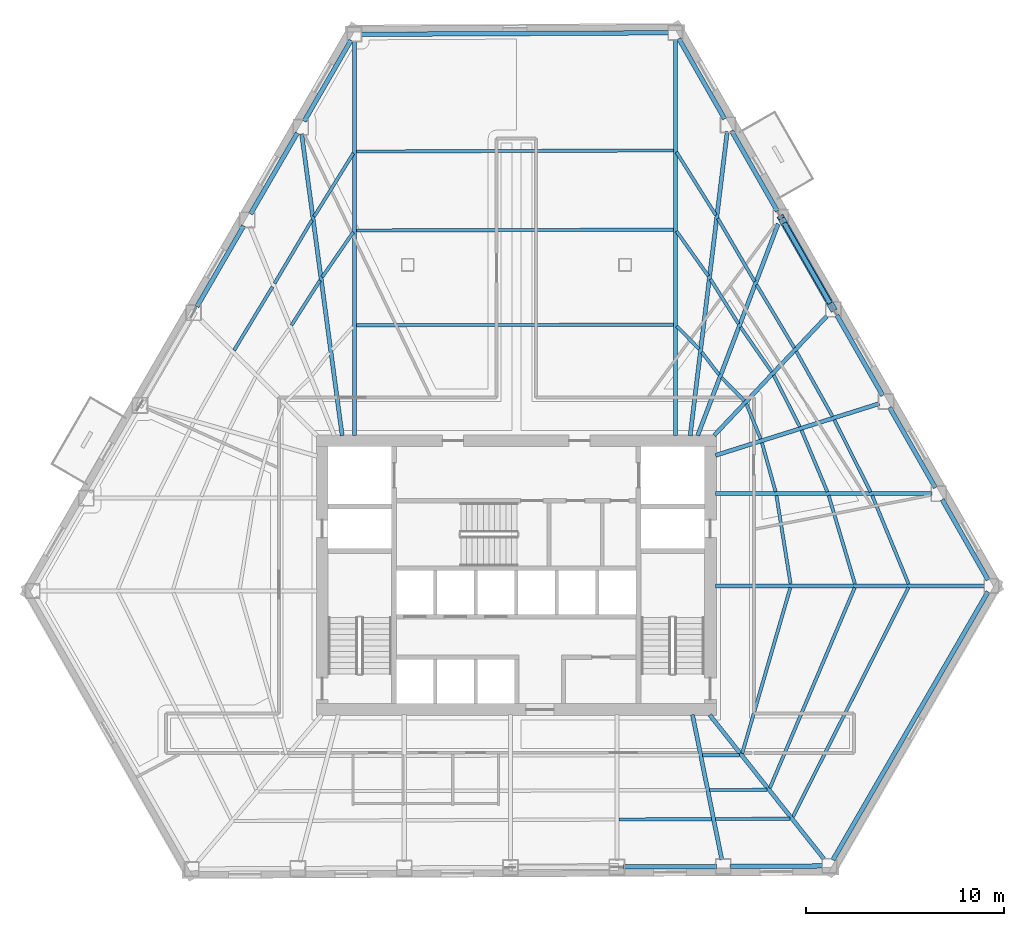
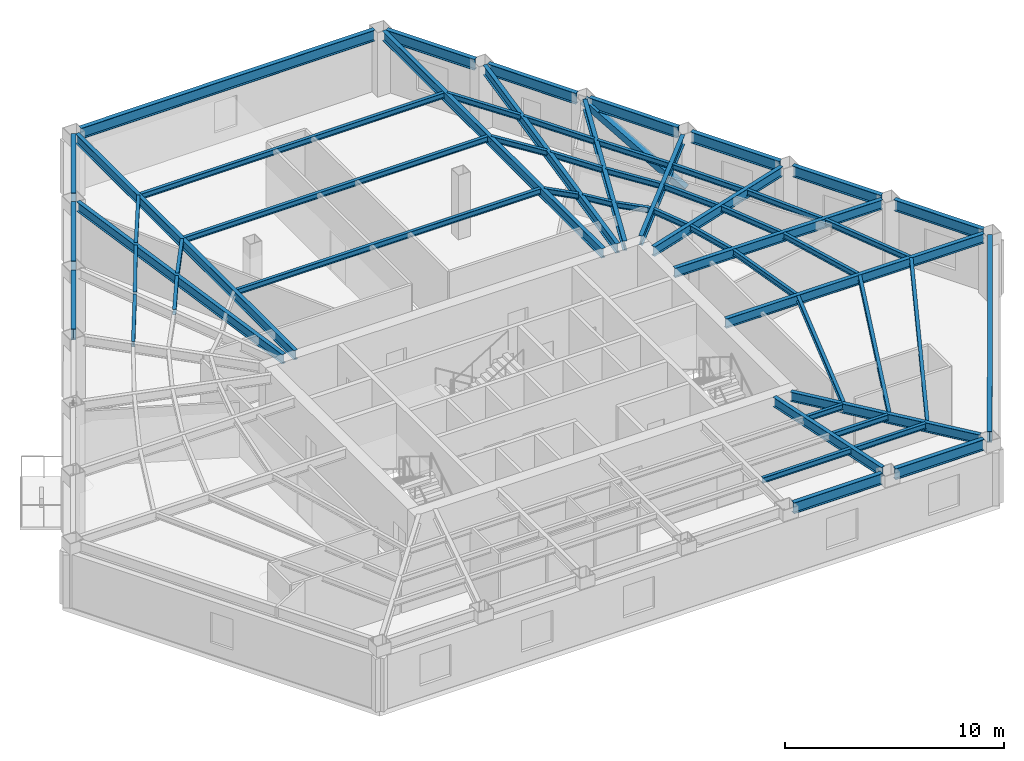
# One storey, part 2 of 11: 57 beams, 1 member.
"""IFC4 building model written with IfcOpenShell, lengths in metres."""

from ifc_helpers import new_model, si_unit, direction, frame, origin, origin_2d, place, context, subcontext, project, spatial, hollow_rectangle, i_section, extrude, material, material_profile, profile_set, type_object, element, save


model = new_model("IFC4")

# Units and contexts
model_context = context("Model", 3, precision=1e-05, world=origin(), true_north=direction((0.0, 1.0)))
body_context = subcontext(model_context, "Body", "Model", "MODEL_VIEW")
ifc_project = project(units=[si_unit("LENGTHUNIT", "METRE"), si_unit("AREAUNIT", "SQUARE_METRE"), si_unit("VOLUMEUNIT", "CUBIC_METRE"), si_unit("PLANEANGLEUNIT", "RADIAN"), si_unit("MASSUNIT", "GRAM", prefix="KILO")], contexts=[model_context])

# Site, building, storey
site_placement = place(None, origin())
site = spatial("IfcSite", under=ifc_project, at=site_placement, CompositionType="ELEMENT")
building_placement = place(site_placement, origin())
building = spatial("IfcBuilding", under=site, at=building_placement, Name="Kavelnor Concourse Tower", CompositionType="ELEMENT")
storey_placement = place(building_placement, frame((0.0, 0.0, 9.85009765625)))
storey = spatial("IfcBuildingStorey", under=building, at=storey_placement, Name="L02", CompositionType="ELEMENT", Elevation=9.85009765625)

# Beams
ifc_material = material(Name="Steel Grade 350", Category="steel")
ifc_material_profile_1 = material_profile(ifc_material, i_section(OverallWidth=0.166015625, OverallDepth=0.306884765625, WebThickness=0.006591796875, FlangeThickness=0.01171875, at=origin_2d()), Name="310UB46")
ifc_profile_set_1 = profile_set([ifc_material_profile_1], Name="Steel Grade 350")
beam_type_1 = type_object("IfcBeamType", Name="BM-JOIST-310", PredefinedType="JOIST", material=ifc_profile_set_1)
beam_1_placement = place(storey_placement, frame((43.184814453125, 3.7333984375, 3.4365234375), z_axis=(0.999991577375, 0.004104287958, 0.0), x_axis=(-0.004104287958, 0.999991577375, 0.0)))
element("IfcBeam", 1, at=beam_1_placement, inside=storey, type_object=beam_type_1, Name="L02 Secondary Composite Joist 06-3", PredefinedType="JOIST", context=body_context, shape_type="SweptSolid", body=[
    extrude(i_section(OverallWidth=0.166015625, OverallDepth=0.306884765625, WebThickness=0.006591796875, FlangeThickness=0.01171875, at=origin_2d()), origin(), (0.0, 0.0, 1.0), 4.69921875),
])
beam_2_placement = place(storey_placement, frame((47.4287109375, 6.983642578125, 3.4365234375), z_axis=(0.999997834945, 0.00208089028, 0.0), x_axis=(-0.00208089028, 0.999997834945, 0.0)))
element("IfcBeam", 2, at=beam_2_placement, inside=storey, type_object=beam_type_1, Name="L02 Secondary Composite Joist 07-1", PredefinedType="JOIST", context=body_context, shape_type="SweptSolid", body=[
    extrude(i_section(OverallWidth=0.166015625, OverallDepth=0.306884765625, WebThickness=0.006591796875, FlangeThickness=0.01171875, at=origin_2d()), origin(), (0.0, 0.0, 1.0), 1.877197265625),
])
beam_3_placement = place(storey_placement, frame((47.784423828125, 5.221923828125, 3.4365234375), z_axis=(0.999988964644, 0.004697934733, 0.0), x_axis=(-0.004697934733, 0.999988964644, 0.0)))
element("IfcBeam", 3, at=beam_3_placement, inside=storey, type_object=beam_type_1, Name="L02 Secondary Composite Joist 07-2", PredefinedType="JOIST", context=body_context, shape_type="SweptSolid", body=[
    extrude(i_section(OverallWidth=0.166015625, OverallDepth=0.306884765625, WebThickness=0.006591796875, FlangeThickness=0.01171875, at=origin_2d()), origin(), (0.0, 0.0, 1.0), 2.91015625),
])
beam_4_placement = place(storey_placement, frame((48.0810546875, 3.753662109375, 3.4365234375), z_axis=(0.999983022719, 0.005827029592, 0.0), x_axis=(-0.005827029592, 0.999983022719, 0.0)))
element("IfcBeam", 4, at=beam_4_placement, inside=storey, type_object=beam_type_1, Name="L02 Secondary Composite Joist 07-3", PredefinedType="JOIST", context=body_context, shape_type="SweptSolid", body=[
    extrude(i_section(OverallWidth=0.166015625, OverallDepth=0.306884765625, WebThickness=0.006591796875, FlangeThickness=0.01171875, at=origin_2d()), origin(), (0.0, 0.0, 1.0), 3.770751953125),
])
beam_5_placement = place(storey_placement, frame((49.431884765625, 7.082275390625, 3.4365234375), z_axis=(0.278988238114, 0.960294518882, 0.0), x_axis=(-0.960294518882, 0.278988238114, 0.0)))
element("IfcBeam", 5, at=beam_5_placement, inside=storey, type_object=beam_type_1, Name="L02 Secondary Composite Joist 08-1", PredefinedType="JOIST", context=body_context, shape_type="SweptSolid", body=[
    extrude(i_section(OverallWidth=0.166015625, OverallDepth=0.306884765625, WebThickness=0.006591796875, FlangeThickness=0.01171875, at=origin_2d()), origin(), (0.0, 0.0, 1.0), 8.72998046875),
])
beam_6_placement = place(storey_placement, frame((50.83154296875, 5.32666015625, 3.4365234375), z_axis=(0.389927032558, 0.920845757595, 0.0), x_axis=(-0.920845757595, 0.389927032558, 0.0)))
element("IfcBeam", 6, at=beam_6_placement, inside=storey, type_object=beam_type_1, Name="L02 Secondary Composite Joist 08-2", PredefinedType="JOIST", context=body_context, shape_type="SweptSolid", body=[
    extrude(i_section(OverallWidth=0.166015625, OverallDepth=0.306884765625, WebThickness=0.006591796875, FlangeThickness=0.01171875, at=origin_2d()), origin(), (0.0, 0.0, 1.0), 11.0146484375),
])
beam_7_placement = place(storey_placement, frame((51.99462890625, 3.8642578125, 3.4365234375), z_axis=(0.450111067733, 0.892972578921, 0.0), x_axis=(-0.892972578921, 0.450111067733, 0.0)))
element("IfcBeam", 7, at=beam_7_placement, inside=storey, type_object=beam_type_1, Name="L02 Secondary Composite Joist 08-3", PredefinedType="JOIST", context=body_context, shape_type="SweptSolid", body=[
    extrude(i_section(OverallWidth=0.166015625, OverallDepth=0.306884765625, WebThickness=0.006591796875, FlangeThickness=0.01171875, at=origin_2d()), origin(), (0.0, 0.0, 1.0), 12.999267578125),
])
beam_8_placement = place(storey_placement, frame((51.87939453125, 15.657470703125, 3.4365234375), z_axis=(-0.157994707276, 0.98743995892, 0.0), x_axis=(-0.98743995892, -0.157994707276, 0.0)))
element("IfcBeam", 8, at=beam_8_placement, inside=storey, type_object=beam_type_1, Name="L02 Secondary Composite Joist 09-1", PredefinedType="JOIST", context=body_context, shape_type="SweptSolid", body=[
    extrude(i_section(OverallWidth=0.166015625, OverallDepth=0.306884765625, WebThickness=0.006591796875, FlangeThickness=0.01171875, at=origin_2d()), origin(), (0.0, 0.0, 1.0), 4.527587890625),
])
beam_9_placement = place(storey_placement, frame((55.136962890625, 15.654541015625, 3.4365234375), z_axis=(-0.28486251758, 0.958568383621, 0.0), x_axis=(-0.958568383621, -0.28486251758, 0.0)))
element("IfcBeam", 9, at=beam_9_placement, inside=storey, type_object=beam_type_1, Name="L02 Secondary Composite Joist 09-2", PredefinedType="JOIST", context=body_context, shape_type="SweptSolid", body=[
    extrude(i_section(OverallWidth=0.166015625, OverallDepth=0.306884765625, WebThickness=0.006591796875, FlangeThickness=0.01171875, at=origin_2d()), origin(), (0.0, 0.0, 1.0), 4.670166015625),
])
beam_10_placement = place(storey_placement, frame((57.852294921875, 15.6513671875, 3.4365234375), z_axis=(-0.380499014956, 0.924781325297, 0.0), x_axis=(-0.924781325297, -0.380499014956, 0.0)))
element("IfcBeam", 10, at=beam_10_placement, inside=storey, type_object=beam_type_1, Name="L02 Secondary Composite Joist 09-3", PredefinedType="JOIST", context=body_context, shape_type="SweptSolid", body=[
    extrude(i_section(OverallWidth=0.166015625, OverallDepth=0.306884765625, WebThickness=0.006591796875, FlangeThickness=0.01171875, at=origin_2d()), origin(), (0.0, 0.0, 1.0), 4.84765625),
])
beam_11_placement = place(storey_placement, frame((51.121826171875, 20.3203125, 3.4365234375), z_axis=(-0.268919629321, 0.963162620208, 0.0), x_axis=(-0.963162620208, -0.268919629321, 0.0)))
element("IfcBeam", 11, at=beam_11_placement, inside=storey, type_object=beam_type_1, Name="L02 Secondary Composite Joist 10-1", PredefinedType="JOIST", context=body_context, shape_type="SweptSolid", body=[
    extrude(i_section(OverallWidth=0.166015625, OverallDepth=0.306884765625, WebThickness=0.006591796875, FlangeThickness=0.01171875, at=origin_2d()), origin(), (0.0, 0.0, 1.0), 2.57568359375),
])
beam_12_placement = place(storey_placement, frame((53.740478515625, 20.316162109375, 3.4365234375), z_axis=(-0.387427608841, 0.921900129031, 0.0), x_axis=(-0.921900129031, -0.387427608841, 0.0)))
element("IfcBeam", 12, at=beam_12_placement, inside=storey, type_object=beam_type_1, Name="L02 Secondary Composite Joist 10-2", PredefinedType="JOIST", context=body_context, shape_type="SweptSolid", body=[
    extrude(i_section(OverallWidth=0.166015625, OverallDepth=0.306884765625, WebThickness=0.006591796875, FlangeThickness=0.01171875, at=origin_2d()), origin(), (0.0, 0.0, 1.0), 3.382080078125),
])
beam_13_placement = place(storey_placement, frame((55.926025390625, 20.3134765625, 3.4365234375), z_axis=(-0.448839780249, 0.893612249057, 0.0), x_axis=(-0.893612249057, -0.448839780249, 0.0)))
element("IfcBeam", 13, at=beam_13_placement, inside=storey, type_object=beam_type_1, Name="L02 Secondary Composite Joist 10-3", PredefinedType="JOIST", context=body_context, shape_type="SweptSolid", body=[
    extrude(i_section(OverallWidth=0.166015625, OverallDepth=0.306884765625, WebThickness=0.006591796875, FlangeThickness=0.01171875, at=origin_2d()), origin(), (0.0, 0.0, 1.0), 4.081787109375),
])
beam_14_placement = place(storey_placement, frame((50.36572265625, 22.9873046875, 3.4365234375), z_axis=(-0.375197954579, 0.926944709721, 0.0), x_axis=(-0.926944709721, -0.375197954579, 0.0)))
element("IfcBeam", 14, at=beam_14_placement, inside=storey, type_object=beam_type_1, Name="L02 Secondary Composite Joist 11-1", PredefinedType="JOIST", context=body_context, shape_type="SweptSolid", body=[
    extrude(i_section(OverallWidth=0.166015625, OverallDepth=0.306884765625, WebThickness=0.006591796875, FlangeThickness=0.01171875, at=origin_2d()), origin(), (0.0, 0.0, 1.0), 1.922119140625),
])
beam_15_placement = place(storey_placement, frame((52.347412109375, 23.612548828125, 3.4365234375), z_axis=(-0.453244428969, 0.891386272953, 0.0), x_axis=(-0.891386272953, -0.453244428969, 0.0)))
element("IfcBeam", 15, at=beam_15_placement, inside=storey, type_object=beam_type_1, Name="L02 Secondary Composite Joist 11-2", PredefinedType="JOIST", context=body_context, shape_type="SweptSolid", body=[
    extrude(i_section(OverallWidth=0.166015625, OverallDepth=0.306884765625, WebThickness=0.006591796875, FlangeThickness=0.01171875, at=origin_2d()), origin(), (0.0, 0.0, 1.0), 2.926025390625),
])
beam_16_placement = place(storey_placement, frame((54.001708984375, 24.135009765625, 3.4365234375), z_axis=(-0.486895498157, 0.873460230276, 0.0), x_axis=(-0.873460230276, -0.486895498157, 0.0)))
element("IfcBeam", 16, at=beam_16_placement, inside=storey, type_object=beam_type_1, Name="L02 Secondary Composite Joist 11-3", PredefinedType="JOIST", context=body_context, shape_type="SweptSolid", body=[
    extrude(i_section(OverallWidth=0.166015625, OverallDepth=0.306884765625, WebThickness=0.006591796875, FlangeThickness=0.01171875, at=origin_2d()), origin(), (0.0, 0.0, 1.0), 3.771728515625),
])
beam_17_placement = place(storey_placement, frame((49.538330078125, 24.930419921875, 3.4365234375), z_axis=(-0.703967784518, 0.710231904635, 0.0), x_axis=(-0.710231904635, -0.703967784518, 0.0)))
element("IfcBeam", 17, at=beam_17_placement, inside=storey, type_object=beam_type_1, Name="L02 Secondary Composite Joist 12-1", PredefinedType="JOIST", context=body_context, shape_type="SweptSolid", body=[
    extrude(i_section(OverallWidth=0.166015625, OverallDepth=0.306884765625, WebThickness=0.006591796875, FlangeThickness=0.01171875, at=origin_2d()), origin(), (0.0, 0.0, 1.0), 1.636962890625),
])
beam_18_placement = place(storey_placement, frame((50.92041015625, 26.3896484375, 3.4365234375), z_axis=(-0.569739727434, 0.821825190039, 0.0), x_axis=(-0.821825190039, -0.569739727434, 0.0)))
element("IfcBeam", 18, at=beam_18_placement, inside=storey, type_object=beam_type_1, Name="L02 Secondary Composite Joist 12-2", PredefinedType="JOIST", context=body_context, shape_type="SweptSolid", body=[
    extrude(i_section(OverallWidth=0.166015625, OverallDepth=0.306884765625, WebThickness=0.006591796875, FlangeThickness=0.01171875, at=origin_2d()), origin(), (0.0, 0.0, 1.0), 2.75537109375),
])
beam_19_placement = place(storey_placement, frame((52.06689453125, 27.60009765625, 3.4365234375), z_axis=(-0.512728352507, 0.858550893387, 0.0), x_axis=(-0.858550893387, -0.512728352507, 0.0)))
element("IfcBeam", 19, at=beam_19_placement, inside=storey, type_object=beam_type_1, Name="L02 Secondary Composite Joist 12-3", PredefinedType="JOIST", context=body_context, shape_type="SweptSolid", body=[
    extrude(i_section(OverallWidth=0.166015625, OverallDepth=0.306884765625, WebThickness=0.006591796875, FlangeThickness=0.01171875, at=origin_2d()), origin(), (0.0, 0.0, 1.0), 3.7197265625),
])
beam_20_placement = place(storey_placement, frame((48.257080078125, 26.241455078125, 3.4365234375), z_axis=(-0.605936209255, 0.795513237045, 0.0), x_axis=(-0.795513237045, -0.605936209255, 0.0)))
element("IfcBeam", 20, at=beam_20_placement, inside=storey, type_object=beam_type_1, Name="L02 Secondary Composite Joist 13-1", PredefinedType="JOIST", context=body_context, shape_type="SweptSolid", body=[
    extrude(i_section(OverallWidth=0.166015625, OverallDepth=0.306884765625, WebThickness=0.006591796875, FlangeThickness=0.01171875, at=origin_2d()), origin(), (0.0, 0.0, 1.0), 1.443603515625),
])
beam_21_placement = place(storey_placement, frame((49.2421875, 28.818359375, 3.4365234375), z_axis=(-0.531438262408, 0.847097027057, 0.0), x_axis=(-0.847097027057, -0.531438262408, 0.0)))
element("IfcBeam", 21, at=beam_21_placement, inside=storey, type_object=beam_type_1, Name="L02 Secondary Composite Joist 13-2", PredefinedType="JOIST", context=body_context, shape_type="SweptSolid", body=[
    extrude(i_section(OverallWidth=0.166015625, OverallDepth=0.306884765625, WebThickness=0.006591796875, FlangeThickness=0.01171875, at=origin_2d()), origin(), (0.0, 0.0, 1.0), 2.666748046875),
])
beam_22_placement = place(storey_placement, frame((50.0595703125, 30.963134765625, 3.4365234375), z_axis=(-0.504175101261, 0.863601451636, 0.0), x_axis=(-0.863601451636, -0.504175101261, 0.0)))
element("IfcBeam", 22, at=beam_22_placement, inside=storey, type_object=beam_type_1, Name="L02 Secondary Composite Joist 13-3", PredefinedType="JOIST", context=body_context, shape_type="SweptSolid", body=[
    extrude(i_section(OverallWidth=0.166015625, OverallDepth=0.306884765625, WebThickness=0.006591796875, FlangeThickness=0.01171875, at=origin_2d()), origin(), (0.0, 0.0, 1.0), 3.69384765625),
])
beam_23_placement = place(storey_placement, frame((47.25390625, 27.538818359375, 3.4365234375), z_axis=(-0.698509306589, 0.71560097024, 0.0), x_axis=(-0.71560097024, -0.698509306589, 0.0)))
element("IfcBeam", 23, at=beam_23_placement, inside=storey, type_object=beam_type_1, Name="L02 Secondary Composite Joist 14-1", PredefinedType="JOIST", context=body_context, shape_type="SweptSolid", body=[
    extrude(i_section(OverallWidth=0.166015625, OverallDepth=0.306884765625, WebThickness=0.006591796875, FlangeThickness=0.01171875, at=origin_2d()), origin(), (0.0, 0.0, 1.0), 1.62841796875),
])
beam_24_placement = place(storey_placement, frame((47.715576171875, 31.2412109375, 3.4365234375), z_axis=(-0.579500453204, 0.814971916532, 0.0), x_axis=(-0.814971916532, -0.579500453204, 0.0)))
element("IfcBeam", 24, at=beam_24_placement, inside=storey, type_object=beam_type_1, Name="L02 Secondary Composite Joist 14-2", PredefinedType="JOIST", context=body_context, shape_type="SweptSolid", body=[
    extrude(i_section(OverallWidth=0.166015625, OverallDepth=0.306884765625, WebThickness=0.006591796875, FlangeThickness=0.01171875, at=origin_2d()), origin(), (0.0, 0.0, 1.0), 2.77978515625),
])
beam_25_placement = place(storey_placement, frame((48.09521484375, 34.321533203125, 3.4365234375), z_axis=(-0.530051405113, 0.847965511055, 0.0), x_axis=(-0.847965511055, -0.530051405113, 0.0)))
element("IfcBeam", 25, at=beam_25_placement, inside=storey, type_object=beam_type_1, Name="L02 Secondary Composite Joist 14-3", PredefinedType="JOIST", context=body_context, shape_type="SweptSolid", body=[
    extrude(i_section(OverallWidth=0.166015625, OverallDepth=0.306884765625, WebThickness=0.006591796875, FlangeThickness=0.01171875, at=origin_2d()), origin(), (0.0, 0.0, 1.0), 3.764404296875),
])
for number, where, z_axis, x_axis, name in (
    (26, (45.94921875, 28.7744140625, 3.4365234375), (-0.999998955514, -0.001445327036, 0.0), (0.001445327036, -0.999998955514, 0.0), "L02 Secondary Composite Joist 15-1"),
    (27, (45.94921875, 33.586669921875, 3.4365234375), (-0.999996455706, -0.002662437885, 0.0), (0.002662437885, -0.999996455706, 0.0), "L02 Secondary Composite Joist 15-2"),
    (28, (45.94921875, 37.596923828125, 3.4365234375), (-0.999993222301, -0.003681759342, 0.0), (0.003681759342, -0.999993222301, 0.0), "L02 Secondary Composite Joist 15-3"),
):
    element("IfcBeam", number, at=place(storey_placement, frame(where, z_axis=z_axis, x_axis=x_axis)), inside=storey, type_object=beam_type_1, Name=name, PredefinedType="JOIST", context=body_context, shape_type="SweptSolid", body=[
        extrude(i_section(OverallWidth=0.166015625, OverallDepth=0.306884765625, WebThickness=0.006591796875, FlangeThickness=0.01171875, at=origin_2d()), origin(), (0.0, 0.0, 1.0), 16.047119140625),
    ])
beam_26_placement = place(storey_placement, frame((29.74755859375, 33.462646484375, 3.4365234375), z_axis=(-0.568136699852, -0.822934195596, 0.0), x_axis=(0.822934195596, -0.568136699852, 0.0)))
element("IfcBeam", 29, at=beam_26_placement, inside=storey, type_object=beam_type_1, Name="L02 Secondary Composite Joist 16-2", PredefinedType="JOIST", context=body_context, shape_type="SweptSolid", body=[
    extrude(i_section(OverallWidth=0.166015625, OverallDepth=0.306884765625, WebThickness=0.006591796875, FlangeThickness=0.01171875, at=origin_2d()), origin(), (0.0, 0.0, 1.0), 2.76904296875),
])
beam_27_placement = place(storey_placement, frame((29.751708984375, 37.45361328125, 3.4365234375), z_axis=(-0.526894875851, -0.849930461745, 0.0), x_axis=(0.849930461745, -0.526894875851, 0.0)))
element("IfcBeam", 30, at=beam_27_placement, inside=storey, type_object=beam_type_1, Name="L02 Secondary Composite Joist 16-3", PredefinedType="JOIST", context=body_context, shape_type="SweptSolid", body=[
    extrude(i_section(OverallWidth=0.166015625, OverallDepth=0.306884765625, WebThickness=0.006591796875, FlangeThickness=0.01171875, at=origin_2d()), origin(), (0.0, 0.0, 1.0), 3.779541015625),
])
beam_28_placement = place(storey_placement, frame((28.0654296875, 31.01953125, 3.4365234375), z_axis=(-0.536770025919, -0.843728593373, 0.0), x_axis=(0.843728593373, -0.536770025919, 0.0)))
element("IfcBeam", 31, at=beam_28_placement, inside=storey, type_object=beam_type_1, Name="L02 Secondary Composite Joist 17-2", PredefinedType="JOIST", context=body_context, shape_type="SweptSolid", body=[
    extrude(i_section(OverallWidth=0.166015625, OverallDepth=0.306884765625, WebThickness=0.006591796875, FlangeThickness=0.01171875, at=origin_2d()), origin(), (0.0, 0.0, 1.0), 2.6962890625),
])
beam_29_placement = place(storey_placement, frame((27.658203125, 34.07275390625, 3.4365234375), z_axis=(-0.508786639952, -0.860892650106, 0.0), x_axis=(0.860892650106, -0.508786639952, 0.0)))
element("IfcBeam", 32, at=beam_29_placement, inside=storey, type_object=beam_type_1, Name="L02 Secondary Composite Joist 17-3", PredefinedType="JOIST", context=body_context, shape_type="SweptSolid", body=[
    extrude(i_section(OverallWidth=0.166015625, OverallDepth=0.306884765625, WebThickness=0.006591796875, FlangeThickness=0.01171875, at=origin_2d()), origin(), (0.0, 0.0, 1.0), 3.730224609375),
])
beam_30_placement = place(storey_placement, frame((25.6591796875, 30.6923828125, 3.4365234375), z_axis=(-0.517682577079, -0.855572761014, 0.0), x_axis=(0.855572761014, -0.517682577079, 0.0)))
element("IfcBeam", 33, at=beam_30_placement, inside=storey, type_object=beam_type_1, Name="L02 Secondary Composite Joist 18-3", PredefinedType="JOIST", context=body_context, shape_type="SweptSolid", body=[
    extrude(i_section(OverallWidth=0.166015625, OverallDepth=0.306884765625, WebThickness=0.006591796875, FlangeThickness=0.01171875, at=origin_2d()), origin(), (0.0, 0.0, 1.0), 3.7587890625),
])
ifc_material_profile_2 = material_profile(ifc_material, i_section(OverallWidth=0.208984375, OverallDepth=0.528076171875, WebThickness=0.009521484375, FlangeThickness=0.01318359375, at=origin_2d()), Name="530UB82")
ifc_profile_set_2 = profile_set([ifc_material_profile_2], Name="Steel Grade 350")
beam_type_2 = type_object("IfcBeamType", Name="BM-PRIMARY-530", PredefinedType="BEAM", material=ifc_profile_set_2)
beam_31_placement = place(storey_placement, frame((29.803466796875, 23.159912109375, 3.325927734375), z_axis=(0.0, 1.0, 0.0), x_axis=(-1.0, 0.0, 0.0)))
element("IfcBeam", 34, at=beam_31_placement, inside=storey, type_object=beam_type_2, Name="L02 Primary Floor Girder F0-B0", PredefinedType="BEAM", context=body_context, shape_type="SweptSolid", body=[
    extrude(i_section(OverallWidth=0.208984375, OverallDepth=0.528076171875, WebThickness=0.009521484375, FlangeThickness=0.01318359375, at=origin_2d()), origin(), (0.0, 0.0, 1.0), 19.96875),
])
beam_32_placement = place(storey_placement, frame((29.18408203125, 23.160400390625, 3.325927734375), z_axis=(-0.132996956009, 0.991116446081, 0.0), x_axis=(-0.991116446081, -0.132996956009, 0.0)))
element("IfcBeam", 35, at=beam_32_placement, inside=storey, type_object=beam_type_2, Name="L02 Primary Floor Girder F0-B1", PredefinedType="BEAM", context=body_context, shape_type="SweptSolid", body=[
    extrude(i_section(OverallWidth=0.208984375, OverallDepth=0.528076171875, WebThickness=0.009521484375, FlangeThickness=0.01318359375, at=origin_2d()), origin(), (0.0, 0.0, 1.0), 15.41064453125),
])
beam_33_placement = place(storey_placement, frame((46.9150390625, 9.039306640625, 3.325927734375), z_axis=(0.197946097255, -0.980212906761, 0.0), x_axis=(0.980212906761, 0.197946097255, 0.0)))
element("IfcBeam", 36, at=beam_33_placement, inside=storey, type_object=beam_type_2, Name="L02 Primary Floor Girder F1-B5", PredefinedType="BEAM", context=body_context, shape_type="SweptSolid", body=[
    extrude(i_section(OverallWidth=0.208984375, OverallDepth=0.528076171875, WebThickness=0.009521484375, FlangeThickness=0.01318359375, at=origin_2d()), origin(), (0.0, 0.0, 1.0), 7.490234375),
])
beam_34_placement = place(storey_placement, frame((47.7841796875, 9.03125, 3.325927734375), z_axis=(0.621236562271, -0.783623081397, 0.0), x_axis=(0.783623081397, 0.621236562271, 0.0)))
element("IfcBeam", 37, at=beam_34_placement, inside=storey, type_object=beam_type_2, Name="L02 Primary Floor Girder F1-B6", PredefinedType="BEAM", context=body_context, shape_type="SweptSolid", body=[
    extrude(i_section(OverallWidth=0.208984375, OverallDepth=0.528076171875, WebThickness=0.009521484375, FlangeThickness=0.01318359375, at=origin_2d()), origin(), (0.0, 0.0, 1.0), 9.31396484375),
])
beam_35_placement = place(storey_placement, frame((48.080078125, 15.560302734375, 3.325927734375), z_axis=(1.0, 0.0, 0.0), x_axis=(0.0, 1.0, 0.0)))
element("IfcBeam", 38, at=beam_35_placement, inside=storey, type_object=beam_type_2, Name="L02 Primary Floor Girder F2-B0", PredefinedType="BEAM", context=body_context, shape_type="SweptSolid", body=[
    extrude(i_section(OverallWidth=0.208984375, OverallDepth=0.528076171875, WebThickness=0.009521484375, FlangeThickness=0.01318359375, at=origin_2d()), origin(), (0.0, 0.0, 1.0), 13.624755859375),
])
beam_36_placement = place(storey_placement, frame((48.080078125, 20.225341796875, 3.325927734375), z_axis=(1.0, 0.0, 0.0), x_axis=(0.0, 1.0, 0.0)))
element("IfcBeam", 39, at=beam_36_placement, inside=storey, type_object=beam_type_2, Name="L02 Primary Floor Girder F2-B1", PredefinedType="BEAM", context=body_context, shape_type="SweptSolid", body=[
    extrude(i_section(OverallWidth=0.208984375, OverallDepth=0.528076171875, WebThickness=0.009521484375, FlangeThickness=0.01318359375, at=origin_2d()), origin(), (0.0, 0.0, 1.0), 10.958740234375),
])
beam_37_placement = place(storey_placement, frame((48.081787109375, 22.162109375, 3.325927734375), z_axis=(0.953480744084, 0.301453927925, 0.0), x_axis=(-0.301453927925, 0.953480744084, 0.0)))
element("IfcBeam", 40, at=beam_37_placement, inside=storey, type_object=beam_type_2, Name="L02 Primary Floor Girder F2-B2", PredefinedType="BEAM", context=body_context, shape_type="SweptSolid", body=[
    extrude(i_section(OverallWidth=0.208984375, OverallDepth=0.528076171875, WebThickness=0.009521484375, FlangeThickness=0.01318359375, at=origin_2d()), origin(), (0.0, 0.0, 1.0), 8.693115234375),
])
beam_38_placement = place(storey_placement, frame((48.010498046875, 23.1708984375, 3.325927734375), z_axis=(0.686951539104, 0.72670322892, 0.0), x_axis=(-0.72670322892, 0.686951539104, 0.0)))
element("IfcBeam", 41, at=beam_38_placement, inside=storey, type_object=beam_type_2, Name="L02 Primary Floor Girder F2-B3", PredefinedType="BEAM", context=body_context, shape_type="SweptSolid", body=[
    extrude(i_section(OverallWidth=0.208984375, OverallDepth=0.528076171875, WebThickness=0.009521484375, FlangeThickness=0.01318359375, at=origin_2d()), origin(), (0.0, 0.0, 1.0), 8.303466796875),
])
beam_39_placement = place(storey_placement, frame((47.176025390625, 23.16259765625, 3.325927734375), z_axis=(0.355360298071, 0.934729403921, 0.0), x_axis=(-0.934729403921, 0.355360298071, 0.0)))
element("IfcBeam", 42, at=beam_39_placement, inside=storey, type_object=beam_type_2, Name="L02 Primary Floor Girder F2-B4", PredefinedType="BEAM", context=body_context, shape_type="SweptSolid", body=[
    extrude(i_section(OverallWidth=0.208984375, OverallDepth=0.528076171875, WebThickness=0.009521484375, FlangeThickness=0.01318359375, at=origin_2d()), origin(), (0.0, 0.0, 1.0), 11.46435546875),
])
beam_40_placement = place(storey_placement, frame((46.7978515625, 23.160400390625, 3.325927734375), z_axis=(0.120940051455, 0.992659812803, 0.0), x_axis=(-0.992659812803, 0.120940051455, 0.0)))
element("IfcBeam", 43, at=beam_40_placement, inside=storey, type_object=beam_type_2, Name="L02 Primary Floor Girder F2-B5", PredefinedType="BEAM", context=body_context, shape_type="SweptSolid", body=[
    extrude(i_section(OverallWidth=0.208984375, OverallDepth=0.528076171875, WebThickness=0.009521484375, FlangeThickness=0.01318359375, at=origin_2d()), origin(), (0.0, 0.0, 1.0), 15.49951171875),
])
beam_41_placement = place(storey_placement, frame((46.047607421875, 23.159912109375, 3.325927734375), z_axis=(0.0, 1.0, 0.0), x_axis=(-1.0, 0.0, 0.0)))
element("IfcBeam", 44, at=beam_41_placement, inside=storey, type_object=beam_type_2, Name="L02 Primary Floor Girder F2-B6", PredefinedType="BEAM", context=body_context, shape_type="SweptSolid", body=[
    extrude(i_section(OverallWidth=0.208984375, OverallDepth=0.528076171875, WebThickness=0.009521484375, FlangeThickness=0.01318359375, at=origin_2d()), origin(), (0.0, 0.0, 1.0), 20.0517578125),
])
ifc_material_profile_3 = material_profile(ifc_material, i_section(OverallWidth=0.22900390625, OverallDepth=0.612060546875, WebThickness=0.011962890625, FlangeThickness=0.01953125, at=origin_2d()), Name="610UB125")
ifc_profile_set_3 = profile_set([ifc_material_profile_3], Name="Steel Grade 350")
beam_type_3 = type_object("IfcBeamType", Name="BM-SPANDREL-Z1", PredefinedType="SPANDREL", material=ifc_profile_set_3)
beam_42_placement = place(storey_placement, frame((29.630859375, 43.169921875, 3.283935546875), z_axis=(-0.500621358942, -0.865666364699, 0.0), x_axis=(0.865666364699, -0.500621358942, 0.0)))
element("IfcBeam", 45, at=beam_42_placement, inside=storey, type_object=beam_type_3, Name="L02 Perimeter Tube Spandrel Beam F0-B0", PredefinedType="SPANDREL", context=body_context, shape_type="SweptSolid", body=[
    extrude(i_section(OverallWidth=0.22900390625, OverallDepth=0.612060546875, WebThickness=0.011962890625, FlangeThickness=0.01953125, at=origin_2d()), origin(), (0.0, 0.0, 1.0), 4.732421875),
])
beam_43_placement = place(storey_placement, frame((26.916259765625, 38.475830078125, 3.283935546875), z_axis=(-0.500637660254, -0.865656937323, 0.0), x_axis=(0.865656937323, -0.500637660254, 0.0)))
element("IfcBeam", 46, at=beam_43_placement, inside=storey, type_object=beam_type_3, Name="L02 Perimeter Tube Spandrel Beam F0-B1", PredefinedType="SPANDREL", context=body_context, shape_type="SweptSolid", body=[
    extrude(i_section(OverallWidth=0.22900390625, OverallDepth=0.612060546875, WebThickness=0.011962890625, FlangeThickness=0.01953125, at=origin_2d()), origin(), (0.0, 0.0, 1.0), 4.732666015625),
])
beam_44_placement = place(storey_placement, frame((24.201416015625, 33.781494140625, 3.283935546875), z_axis=(-0.500621358942, -0.865666364699, 0.0), x_axis=(0.865666364699, -0.500621358942, 0.0)))
element("IfcBeam", 47, at=beam_44_placement, inside=storey, type_object=beam_type_3, Name="L02 Perimeter Tube Spandrel Beam F0-B2", PredefinedType="SPANDREL", context=body_context, shape_type="SweptSolid", body=[
    extrude(i_section(OverallWidth=0.22900390625, OverallDepth=0.612060546875, WebThickness=0.011962890625, FlangeThickness=0.01953125, at=origin_2d()), origin(), (0.0, 0.0, 1.0), 4.732421875),
])
beam_45_placement = place(storey_placement, frame((45.70263671875, 43.5498046875, 3.283935546875), z_axis=(-0.999986988929, -0.005101173621, 0.0), x_axis=(0.005101173621, -0.999986988929, 0.0)))
element("IfcBeam", 48, at=beam_45_placement, inside=storey, type_object=beam_type_3, Name="L02 Chamfer Facet Spandrel Beam C0", PredefinedType="SPANDREL", context=body_context, shape_type="SweptSolid", body=[
    extrude(i_section(OverallWidth=0.22900390625, OverallDepth=0.612060546875, WebThickness=0.011962890625, FlangeThickness=0.01953125, at=origin_2d()), origin(), (0.0, 0.0, 1.0), 15.554443359375),
])
beam_46_placement = place(storey_placement, frame((43.43115234375, 1.330810546875, 3.283935546875), z_axis=(0.999986990263, 0.005100912193, 0.0), x_axis=(-0.005100912193, 0.999986990263, 0.0)))
element("IfcBeam", 49, at=beam_46_placement, inside=storey, type_object=beam_type_3, Name="L02 Perimeter Tube Spandrel Beam F1-B4", PredefinedType="SPANDREL", context=body_context, shape_type="SweptSolid", body=[
    extrude(i_section(OverallWidth=0.22900390625, OverallDepth=0.612060546875, WebThickness=0.011962890625, FlangeThickness=0.01953125, at=origin_2d()), origin(), (0.0, 0.0, 1.0), 4.6904296875),
])
beam_47_placement = place(storey_placement, frame((48.8115234375, 1.3583984375, 3.283935546875), z_axis=(0.999987253081, 0.005049126206, 0.0), x_axis=(-0.005049126206, 0.999987253081, 0.0)))
element("IfcBeam", 50, at=beam_47_placement, inside=storey, type_object=beam_type_3, Name="L02 Perimeter Tube Spandrel Beam F1-B5", PredefinedType="SPANDREL", context=body_context, shape_type="SweptSolid", body=[
    extrude(i_section(OverallWidth=0.22900390625, OverallDepth=0.612060546875, WebThickness=0.011962890625, FlangeThickness=0.01953125, at=origin_2d()), origin(), (0.0, 0.0, 1.0), 4.690185546875),
])
beam_48_placement = place(storey_placement, frame((61.873779296875, 15.859619140625, 3.283935546875), z_axis=(-0.496211916611, 0.868201436196, 0.0), x_axis=(-0.868201436196, -0.496211916611, 0.0)))
element("IfcBeam", 51, at=beam_48_placement, inside=storey, type_object=beam_type_3, Name="L02 Perimeter Tube Spandrel Beam F2-B0", PredefinedType="SPANDREL", context=body_context, shape_type="SweptSolid", body=[
    extrude(i_section(OverallWidth=0.22900390625, OverallDepth=0.612060546875, WebThickness=0.011962890625, FlangeThickness=0.01953125, at=origin_2d()), origin(), (0.0, 0.0, 1.0), 4.683349609375),
])
beam_49_placement = place(storey_placement, frame((59.20751953125, 20.52490234375, 3.283935546875), z_axis=(-0.496150165791, 0.868236726352, 0.0), x_axis=(-0.868236726352, -0.496150165791, 0.0)))
element("IfcBeam", 52, at=beam_49_placement, inside=storey, type_object=beam_type_3, Name="L02 Perimeter Tube Spandrel Beam F2-B1", PredefinedType="SPANDREL", context=body_context, shape_type="SweptSolid", body=[
    extrude(i_section(OverallWidth=0.22900390625, OverallDepth=0.612060546875, WebThickness=0.011962890625, FlangeThickness=0.01953125, at=origin_2d()), origin(), (0.0, 0.0, 1.0), 4.68359375),
])
for number, where, z_axis, x_axis, name in (
    (53, (56.541259765625, 25.190185546875, 3.283935546875), (-0.496172621935, 0.868223893499, 0.0), (-0.868223893499, -0.496172621935, 0.0), "L02 Perimeter Tube Spandrel Beam F2-B2"),
    (54, (53.875, 29.85546875, 3.283935546875), (-0.496172621935, 0.868223893499, 0.0), (-0.868223893499, -0.496172621935, 0.0), "L02 Perimeter Tube Spandrel Beam F2-B3"),
    (55, (51.208984375, 34.520751953125, 3.283935546875), (-0.496211916611, 0.868201436196, 0.0), (-0.868201436196, -0.496211916611, 0.0), "L02 Perimeter Tube Spandrel Beam F2-B4"),
):
    element("IfcBeam", number, at=place(storey_placement, frame(where, z_axis=z_axis, x_axis=x_axis)), inside=storey, type_object=beam_type_3, Name=name, PredefinedType="SPANDREL", context=body_context, shape_type="SweptSolid", body=[
        extrude(i_section(OverallWidth=0.22900390625, OverallDepth=0.612060546875, WebThickness=0.011962890625, FlangeThickness=0.01953125, at=origin_2d()), origin(), (0.0, 0.0, 1.0), 4.683349609375),
    ])
beam_50_placement = place(storey_placement, frame((48.542724609375, 39.185791015625, 3.283935546875), z_axis=(-0.496150165791, 0.868236726352, 0.0), x_axis=(-0.868236726352, -0.496150165791, 0.0)))
element("IfcBeam", 56, at=beam_50_placement, inside=storey, type_object=beam_type_3, Name="L02 Perimeter Tube Spandrel Beam F2-B5", PredefinedType="SPANDREL", context=body_context, shape_type="SweptSolid", body=[
    extrude(i_section(OverallWidth=0.22900390625, OverallDepth=0.612060546875, WebThickness=0.011962890625, FlangeThickness=0.01953125, at=origin_2d()), origin(), (0.0, 0.0, 1.0), 4.68359375),
])
beam_51_placement = place(storey_placement, frame((54.01953125, 1.6826171875, 3.283935546875), z_axis=(0.500622696279, 0.865665591306, 0.0), x_axis=(-0.865665591306, 0.500622696279, 0.0)))
element("IfcBeam", 57, at=beam_51_placement, inside=storey, type_object=beam_type_3, Name="L02 Chamfer Facet Spandrel Beam C2", PredefinedType="SPANDREL", context=body_context, shape_type="SweptSolid", body=[
    extrude(i_section(OverallWidth=0.22900390625, OverallDepth=0.612060546875, WebThickness=0.011962890625, FlangeThickness=0.01953125, at=origin_2d()), origin(), (0.0, 0.0, 1.0), 15.68603515625),
])

# Member
ifc_material_profile_4 = material_profile(ifc_material, hollow_rectangle(XDim=0.35009765625, YDim=0.35009765625, WallThickness=0.02001953125, at=origin_2d()), Name="SHS 350x350x20")
ifc_profile_set_4 = profile_set([ifc_material_profile_4], Name="Steel Grade 350")
member_type = type_object("IfcMemberType", Name="MBR-TUBE-DIAG-Z1", PredefinedType="BRACE", material=ifc_profile_set_4)
member_placement = place(storey_placement, frame((54.04638671875, 29.555908203125, 0.219970703125), z_axis=(-0.431042794952, 0.754216350951, 0.495338071298), x_axis=(-0.868212384634, -0.496192760092, 0.0)))
element("IfcMember", 58, at=member_placement, inside=storey, type_object=member_type, Name="L02 Framed-Tube Bracing Diagonal F2-B3", PredefinedType="BRACE", context=body_context, shape_type="SweptSolid", body=[
    extrude(hollow_rectangle(XDim=0.35009765625, YDim=0.35009765625, WallThickness=0.02001953125, at=origin_2d()), origin(), (0.0, 0.0, 1.0), 6.185546875),
])

save(model, "model.ifc")
